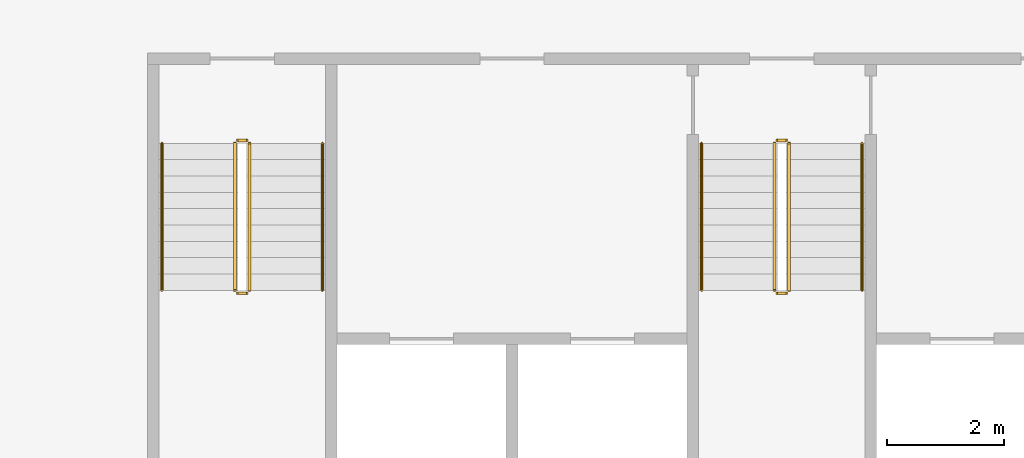
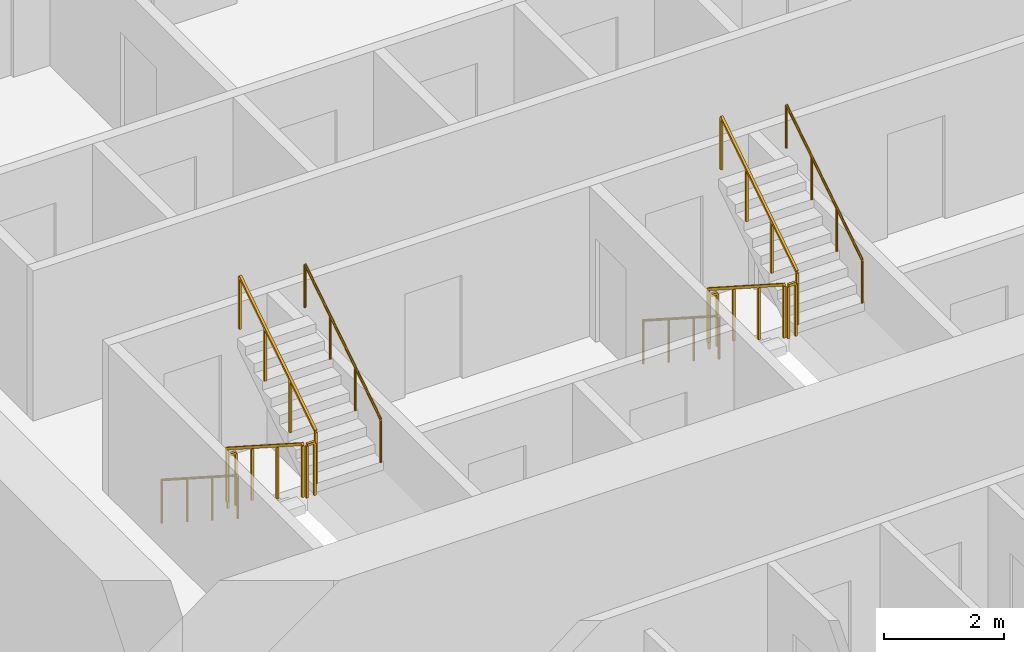
# One storey, part 15 of 17: 12 railings.
"""IFC4 building model written with IfcOpenShell, lengths in metres."""

from ifc_helpers import new_model, si_unit, direction, frame, origin, origin_2d, place, context, subcontext, project, spatial, rectangle, circle, extrude, material, type_object, element, save


model = new_model("IFC4")

# Units and contexts
model_context = context("Model", 3, precision=1e-05, world=origin(), true_north=direction((0.0, 1.0)))
body_context = subcontext(model_context, "Body", "Model", "MODEL_VIEW")
ifc_project = project(units=[si_unit("LENGTHUNIT", "METRE"), si_unit("AREAUNIT", "SQUARE_METRE"), si_unit("VOLUMEUNIT", "CUBIC_METRE"), si_unit("PLANEANGLEUNIT", "RADIAN"), si_unit("MASSUNIT", "GRAM", prefix="KILO")], contexts=[model_context])

# Site, building, storey
site_placement = place(None, origin())
site = spatial("IfcSite", under=ifc_project, at=site_placement, CompositionType="ELEMENT")
building_placement = place(site_placement, origin())
building = spatial("IfcBuilding", under=site, at=building_placement, Name="Mangrove Gate Tower", CompositionType="ELEMENT")
storey_placement = place(building_placement, frame((0.0, 0.0, 90.10009765625)))
storey = spatial("IfcBuildingStorey", under=building, at=storey_placement, Name="L22", CompositionType="ELEMENT", Elevation=90.10009765625)

# Railings
ifc_material_1 = material(Name="Stainless steel 316", Category="steel")
railing_type_1 = type_object("IfcRailingType", Name="Core stair guard 1100", PredefinedType="GUARDRAIL", material=ifc_material_1)
railing_1_placement = place(storey_placement, frame((-9.39990234375, -4.64990234375, 0.179931640625)))
element("IfcRailing", 1, at=railing_1_placement, inside=storey, type_object=railing_type_1, Name="L22 ST1 stair guard 1", PredefinedType="GUARDRAIL", context=body_context, shape_type="SweptSolid", body=[
    extrude(rectangle(XDim=0.048095703125, YDim=0.048095703125, at=origin_2d()), frame((0.0, 0.0, 1.076171875), z_axis=(0.0, -0.841199657755, 0.540724639528), x_axis=(1.0, 0.0, 0.0)), (0.0, 0.0, 1.0), 2.995849609375),
    extrude(rectangle(XDim=0.0419921875, YDim=0.0419921875, at=origin_2d()), origin(), (0.0, 0.0, 1.0), 1.052001953125),
    extrude(rectangle(XDim=0.0419921875, YDim=0.0419921875, at=origin_2d()), frame((0.0, -0.840087890625, 0.5400390625)), (0.0, 0.0, 1.0), 1.052001953125),
    extrude(rectangle(XDim=0.0419921875, YDim=0.0419921875, at=origin_2d()), frame((0.0, -1.679931640625, 1.079833984375)), (0.0, 0.0, 1.0), 1.052001953125),
    extrude(rectangle(XDim=0.0419921875, YDim=0.0419921875, at=origin_2d()), frame((0.0, -2.52001953125, 1.619873046875)), (0.0, 0.0, 1.0), 1.052001953125),
])
railing_2_placement = place(storey_placement, frame((-9.35009765625, -7.219970703125, 1.7998046875)))
element("IfcRailing", 2, at=railing_2_placement, inside=storey, type_object=railing_type_1, Name="L22 ST1 stair guard 2", PredefinedType="GUARDRAIL", context=body_context, shape_type="SweptSolid", body=[
    extrude(rectangle(XDim=0.048095703125, YDim=0.048095703125, at=origin_2d()), frame((0.0, 0.0, 1.076171875), z_axis=(1.0, 0.0, 0.0), x_axis=(0.0, 1.0, 0.0)), (0.0, 0.0, 1.0), 0.150146484375),
    extrude(rectangle(XDim=0.0419921875, YDim=0.0419921875, at=origin_2d()), origin(), (0.0, 0.0, 1.0), 1.052001953125),
    extrude(rectangle(XDim=0.0419921875, YDim=0.0419921875, at=origin_2d()), frame((0.150146484375, 0.0, 0.0)), (0.0, 0.0, 1.0), 1.052001953125),
])
railing_3_placement = place(storey_placement, frame((-9.14990234375, -7.169921875, 1.97998046875)))
element("IfcRailing", 3, at=railing_3_placement, inside=storey, type_object=railing_type_1, Name="L22 ST1 stair guard 3", PredefinedType="GUARDRAIL", context=body_context, shape_type="SweptSolid", body=[
    extrude(rectangle(XDim=0.048095703125, YDim=0.048095703125, at=origin_2d()), frame((0.0, 0.0, 1.076171875), z_axis=(0.0, 0.841199657755, 0.540724639528), x_axis=(-1.0, 0.0, 0.0)), (0.0, 0.0, 1.0), 2.995849609375),
    extrude(rectangle(XDim=0.0419921875, YDim=0.0419921875, at=origin_2d()), origin(), (0.0, 0.0, 1.0), 1.052001953125),
    extrude(rectangle(XDim=0.0419921875, YDim=0.0419921875, at=origin_2d()), frame((0.0, 0.840087890625, 0.5400390625)), (0.0, 0.0, 1.0), 1.052001953125),
    extrude(rectangle(XDim=0.0419921875, YDim=0.0419921875, at=origin_2d()), frame((0.0, 1.679931640625, 1.079833984375)), (0.0, 0.0, 1.0), 1.052001953125),
    extrude(rectangle(XDim=0.0419921875, YDim=0.0419921875, at=origin_2d()), frame((0.0, 2.52001953125, 1.619873046875)), (0.0, 0.0, 1.0), 1.052001953125),
])
railing_4_placement = place(storey_placement, frame((-9.35009765625, -4.60009765625, 0.0)))
element("IfcRailing", 4, at=railing_4_placement, inside=storey, type_object=railing_type_1, Name="L22 ST1 stair guard 4", PredefinedType="GUARDRAIL", context=body_context, shape_type="SweptSolid", body=[
    extrude(rectangle(XDim=0.048095703125, YDim=0.048095703125, at=origin_2d()), frame((0.0, 0.0, 1.076171875), z_axis=(1.0, 0.0, 0.0), x_axis=(0.0, 1.0, 0.0)), (0.0, 0.0, 1.0), 0.150146484375),
    extrude(rectangle(XDim=0.0419921875, YDim=0.0419921875, at=origin_2d()), origin(), (0.0, 0.0, 1.0), 1.052001953125),
    extrude(rectangle(XDim=0.0419921875, YDim=0.0419921875, at=origin_2d()), frame((0.150146484375, 0.0, 0.0)), (0.0, 0.0, 1.0), 1.052001953125),
])
railing_5_placement = place(storey_placement, frame((-0.14990234375, -4.64990234375, 0.179931640625)))
element("IfcRailing", 5, at=railing_5_placement, inside=storey, type_object=railing_type_1, Name="L22 ST2 stair guard 1", PredefinedType="GUARDRAIL", context=body_context, shape_type="SweptSolid", body=[
    extrude(rectangle(XDim=0.048095703125, YDim=0.048095703125, at=origin_2d()), frame((0.0, 0.0, 1.076171875), z_axis=(0.0, -0.841199657755, 0.540724639528), x_axis=(1.0, 0.0, 0.0)), (0.0, 0.0, 1.0), 2.995849609375),
    extrude(rectangle(XDim=0.0419921875, YDim=0.0419921875, at=origin_2d()), origin(), (0.0, 0.0, 1.0), 1.052001953125),
    extrude(rectangle(XDim=0.0419921875, YDim=0.0419921875, at=origin_2d()), frame((0.0, -0.840087890625, 0.5400390625)), (0.0, 0.0, 1.0), 1.052001953125),
    extrude(rectangle(XDim=0.0419921875, YDim=0.0419921875, at=origin_2d()), frame((0.0, -1.679931640625, 1.079833984375)), (0.0, 0.0, 1.0), 1.052001953125),
    extrude(rectangle(XDim=0.0419921875, YDim=0.0419921875, at=origin_2d()), frame((0.0, -2.52001953125, 1.619873046875)), (0.0, 0.0, 1.0), 1.052001953125),
])
railing_6_placement = place(storey_placement, frame((-0.10009765625, -7.219970703125, 1.7998046875)))
element("IfcRailing", 6, at=railing_6_placement, inside=storey, type_object=railing_type_1, Name="L22 ST2 stair guard 2", PredefinedType="GUARDRAIL", context=body_context, shape_type="SweptSolid", body=[
    extrude(rectangle(XDim=0.048095703125, YDim=0.048095703125, at=origin_2d()), frame((0.0, 0.0, 1.076171875), z_axis=(1.0, 0.0, 0.0), x_axis=(0.0, 1.0, 0.0)), (0.0, 0.0, 1.0), 0.150146484375),
    extrude(rectangle(XDim=0.0419921875, YDim=0.0419921875, at=origin_2d()), origin(), (0.0, 0.0, 1.0), 1.052001953125),
    extrude(rectangle(XDim=0.0419921875, YDim=0.0419921875, at=origin_2d()), frame((0.150146484375, 0.0, 0.0)), (0.0, 0.0, 1.0), 1.052001953125),
])
railing_7_placement = place(storey_placement, frame((0.10009765625, -7.169921875, 1.97998046875)))
element("IfcRailing", 7, at=railing_7_placement, inside=storey, type_object=railing_type_1, Name="L22 ST2 stair guard 3", PredefinedType="GUARDRAIL", context=body_context, shape_type="SweptSolid", body=[
    extrude(rectangle(XDim=0.048095703125, YDim=0.048095703125, at=origin_2d()), frame((0.0, 0.0, 1.076171875), z_axis=(0.0, 0.841199657755, 0.540724639528), x_axis=(-1.0, 0.0, 0.0)), (0.0, 0.0, 1.0), 2.995849609375),
    extrude(rectangle(XDim=0.0419921875, YDim=0.0419921875, at=origin_2d()), origin(), (0.0, 0.0, 1.0), 1.052001953125),
    extrude(rectangle(XDim=0.0419921875, YDim=0.0419921875, at=origin_2d()), frame((0.0, 0.840087890625, 0.5400390625)), (0.0, 0.0, 1.0), 1.052001953125),
    extrude(rectangle(XDim=0.0419921875, YDim=0.0419921875, at=origin_2d()), frame((0.0, 1.679931640625, 1.079833984375)), (0.0, 0.0, 1.0), 1.052001953125),
    extrude(rectangle(XDim=0.0419921875, YDim=0.0419921875, at=origin_2d()), frame((0.0, 2.52001953125, 1.619873046875)), (0.0, 0.0, 1.0), 1.052001953125),
])
railing_8_placement = place(storey_placement, frame((-0.10009765625, -4.60009765625, 0.0)))
element("IfcRailing", 8, at=railing_8_placement, inside=storey, type_object=railing_type_1, Name="L22 ST2 stair guard 4", PredefinedType="GUARDRAIL", context=body_context, shape_type="SweptSolid", body=[
    extrude(rectangle(XDim=0.048095703125, YDim=0.048095703125, at=origin_2d()), frame((0.0, 0.0, 1.076171875), z_axis=(1.0, 0.0, 0.0), x_axis=(0.0, 1.0, 0.0)), (0.0, 0.0, 1.0), 0.150146484375),
    extrude(rectangle(XDim=0.0419921875, YDim=0.0419921875, at=origin_2d()), origin(), (0.0, 0.0, 1.0), 1.052001953125),
    extrude(rectangle(XDim=0.0419921875, YDim=0.0419921875, at=origin_2d()), frame((0.150146484375, 0.0, 0.0)), (0.0, 0.0, 1.0), 1.052001953125),
])
ifc_material_2 = material(Name="Stainless steel 316", Category="steel")
railing_type_2 = type_object("IfcRailingType", Name="Core stair handrail 900", PredefinedType="HANDRAIL", material=ifc_material_2)
railing_9_placement = place(storey_placement, frame((-10.64990234375, -4.64990234375, 0.179931640625)))
element("IfcRailing", 9, at=railing_9_placement, inside=storey, type_object=railing_type_2, Name="L22 ST1 stair handrail 1", PredefinedType="HANDRAIL", context=body_context, shape_type="SweptSolid", body=[
    extrude(circle(Radius=0.02392578125, at=origin_2d()), frame((0.0, 0.0, 0.8759765625), z_axis=(0.0, -0.841199657755, 0.540724639528), x_axis=(1.0, 0.0, 0.0)), (0.0, 0.0, 1.0), 2.995849609375),
    extrude(circle(Radius=0.02099609375, at=origin_2d()), origin(), (0.0, 0.0, 1.0), 0.851806640625),
    extrude(circle(Radius=0.02099609375, at=origin_2d()), frame((0.0, -0.840087890625, 0.5400390625)), (0.0, 0.0, 1.0), 0.851806640625),
    extrude(circle(Radius=0.02099609375, at=origin_2d()), frame((0.0, -1.679931640625, 1.079833984375)), (0.0, 0.0, 1.0), 0.851806640625),
    extrude(circle(Radius=0.02099609375, at=origin_2d()), frame((0.0, -2.52001953125, 1.619873046875)), (0.0, 0.0, 1.0), 0.851806640625),
])
railing_10_placement = place(storey_placement, frame((-7.89990234375, -7.169921875, 1.97998046875)))
element("IfcRailing", 10, at=railing_10_placement, inside=storey, type_object=railing_type_2, Name="L22 ST1 stair handrail 2", PredefinedType="HANDRAIL", context=body_context, shape_type="SweptSolid", body=[
    extrude(circle(Radius=0.02392578125, at=origin_2d()), frame((0.0, 0.0, 0.8759765625), z_axis=(0.0, 0.841199657755, 0.540724639528), x_axis=(-1.0, 0.0, 0.0)), (0.0, 0.0, 1.0), 2.995849609375),
    extrude(circle(Radius=0.02099609375, at=origin_2d()), origin(), (0.0, 0.0, 1.0), 0.851806640625),
    extrude(circle(Radius=0.02099609375, at=origin_2d()), frame((0.0, 0.840087890625, 0.5400390625)), (0.0, 0.0, 1.0), 0.851806640625),
    extrude(circle(Radius=0.02099609375, at=origin_2d()), frame((0.0, 1.679931640625, 1.079833984375)), (0.0, 0.0, 1.0), 0.851806640625),
    extrude(circle(Radius=0.02099609375, at=origin_2d()), frame((0.0, 2.52001953125, 1.619873046875)), (0.0, 0.0, 1.0), 0.851806640625),
])
railing_11_placement = place(storey_placement, frame((-1.39990234375, -4.64990234375, 0.179931640625)))
element("IfcRailing", 11, at=railing_11_placement, inside=storey, type_object=railing_type_2, Name="L22 ST2 stair handrail 1", PredefinedType="HANDRAIL", context=body_context, shape_type="SweptSolid", body=[
    extrude(circle(Radius=0.02392578125, at=origin_2d()), frame((0.0, 0.0, 0.8759765625), z_axis=(0.0, -0.841199657755, 0.540724639528), x_axis=(1.0, 0.0, 0.0)), (0.0, 0.0, 1.0), 2.995849609375),
    extrude(circle(Radius=0.02099609375, at=origin_2d()), origin(), (0.0, 0.0, 1.0), 0.851806640625),
    extrude(circle(Radius=0.02099609375, at=origin_2d()), frame((0.0, -0.840087890625, 0.5400390625)), (0.0, 0.0, 1.0), 0.851806640625),
    extrude(circle(Radius=0.02099609375, at=origin_2d()), frame((0.0, -1.679931640625, 1.079833984375)), (0.0, 0.0, 1.0), 0.851806640625),
    extrude(circle(Radius=0.02099609375, at=origin_2d()), frame((0.0, -2.52001953125, 1.619873046875)), (0.0, 0.0, 1.0), 0.851806640625),
])
railing_12_placement = place(storey_placement, frame((1.35009765625, -7.169921875, 1.97998046875)))
element("IfcRailing", 12, at=railing_12_placement, inside=storey, type_object=railing_type_2, Name="L22 ST2 stair handrail 2", PredefinedType="HANDRAIL", context=body_context, shape_type="SweptSolid", body=[
    extrude(circle(Radius=0.02392578125, at=origin_2d()), frame((0.0, 0.0, 0.8759765625), z_axis=(0.0, 0.841199657755, 0.540724639528), x_axis=(-1.0, 0.0, 0.0)), (0.0, 0.0, 1.0), 2.995849609375),
    extrude(circle(Radius=0.02099609375, at=origin_2d()), origin(), (0.0, 0.0, 1.0), 0.851806640625),
    extrude(circle(Radius=0.02099609375, at=origin_2d()), frame((0.0, 0.840087890625, 0.5400390625)), (0.0, 0.0, 1.0), 0.851806640625),
    extrude(circle(Radius=0.02099609375, at=origin_2d()), frame((0.0, 1.679931640625, 1.079833984375)), (0.0, 0.0, 1.0), 0.851806640625),
    extrude(circle(Radius=0.02099609375, at=origin_2d()), frame((0.0, 2.52001953125, 1.619873046875)), (0.0, 0.0, 1.0), 0.851806640625),
])

save(model, "model.ifc")
